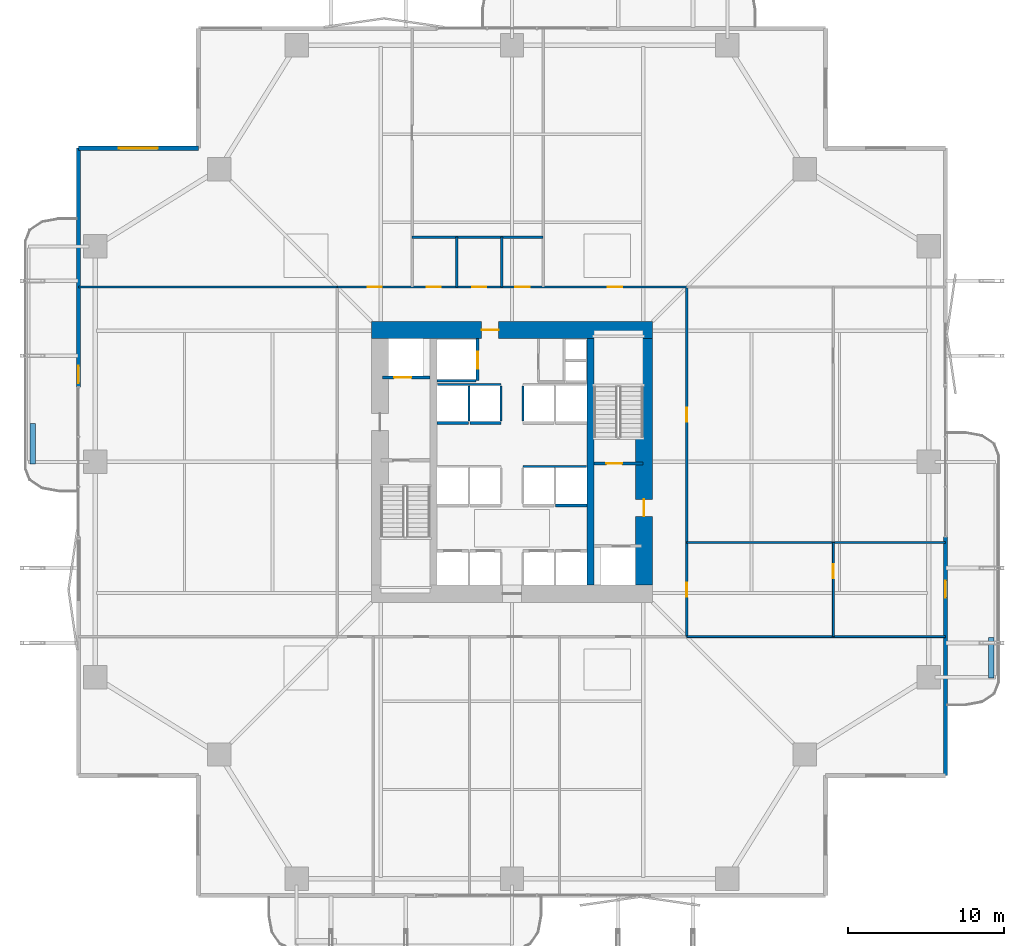
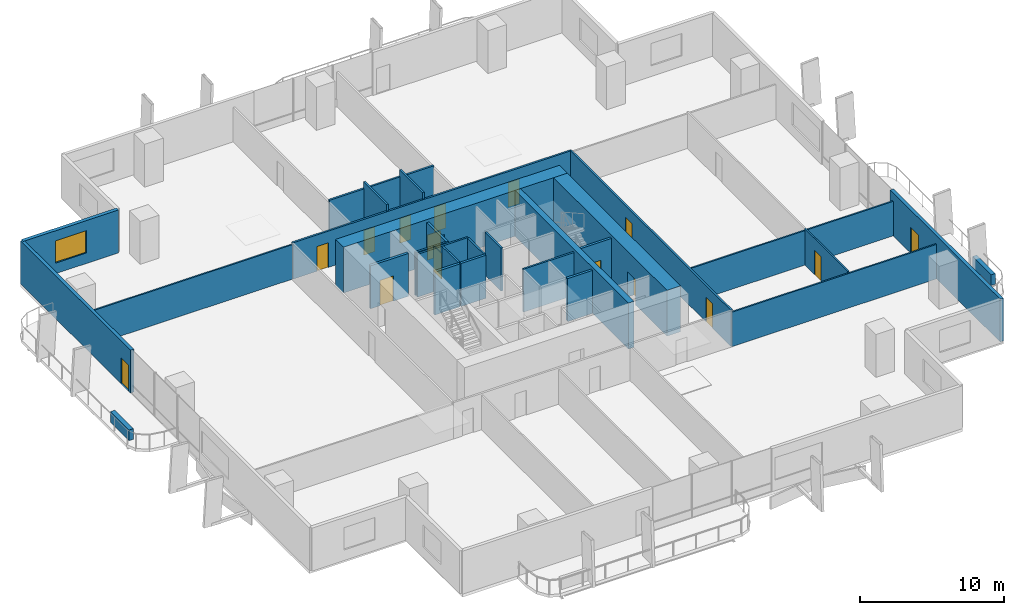
# One storey, part 18 of 23: 29 walls, 15 doors, 1 window, 16 openings.
"""IFC4 building model written with IfcOpenShell, lengths in metres."""

from ifc_helpers import new_model, si_unit, direction, frame, frame_2d, origin, place, context, subcontext, project, spatial, rectangle, extrude, material, layer, layer_set, type_object, element, fill, save


model = new_model("IFC4")

# Units and contexts
model_context = context("Model", 3, precision=1e-05, world=origin(), true_north=direction((0.0, 1.0)))
body_context = subcontext(model_context, "Body", "Model", "MODEL_VIEW")
ifc_project = project(units=[si_unit("LENGTHUNIT", "METRE"), si_unit("AREAUNIT", "SQUARE_METRE"), si_unit("VOLUMEUNIT", "CUBIC_METRE"), si_unit("PLANEANGLEUNIT", "RADIAN"), si_unit("MASSUNIT", "GRAM", prefix="KILO")], contexts=[model_context])

# Site, building, storey
site_placement = place(None, origin())
site = spatial("IfcSite", under=ifc_project, at=site_placement, CompositionType="ELEMENT")
building_placement = place(site_placement, origin())
building = spatial("IfcBuilding", under=site, at=building_placement, Name="Belovzor Exchange Tower", CompositionType="ELEMENT")
storey_placement = place(building_placement, frame((0.0, 0.0, 41.699951171875)))
storey = spatial("IfcBuildingStorey", under=building, at=storey_placement, Name="L09", CompositionType="ELEMENT", Elevation=41.699951171875)

# Walls
ifc_material_1 = material(Name="Acoustic Plasterboard on Galvanised Studs", Category="gypsum")
ifc_layer_1 = layer(ifc_material_1, 0.1201171875)
ifc_layer_set_1 = layer_set([ifc_layer_1], Name="Acoustic Plasterboard on Galvanised Studs")
wall_type_1 = type_object("IfcWallType", Name="Acoustic Double-Stud Partition Wall 120", PredefinedType="PARTITIONING", material=ifc_layer_set_1)
for number, where, z_axis, x_axis, name in (
    (1, (40.0, 17.60009765625, 0.0), (0.0, 0.0, 1.0), (1.0, 0.0, 0.0), "W-P120 Partition Wall W-L09-END-SE"),
    (2, (1.030029296875, 40.0, 0.0), (0.0, 0.0, 1.0), (1.0, 0.0, 0.0), "W-P120 Partition Wall W-L09-END-NW"),
):
    element("IfcWall", number, at=place(storey_placement, frame(where, z_axis=z_axis, x_axis=x_axis)), inside=storey, type_object=wall_type_1, Name=name, PredefinedType="PARTITIONING", context=body_context, shape_type="SweptSolid", body=[
        extrude(rectangle(XDim=16.570068359375, YDim=0.1201171875, at=frame_2d((8.28515625, 0.0))), origin(), (0.0, 0.0, 1.0), 2.93505859375),
    ])

# Wall, opening, door
wall_1_placement = place(storey_placement, frame((49.387939453125, 17.60009765625, 0.0), z_axis=(0.0, 0.0, 1.0), x_axis=(0.0, 1.0, 0.0)))
wall_1 = element("IfcWall", 3, at=wall_1_placement, inside=storey, type_object=wall_type_1, Name="W-P120 Partition Wall W-L09-EHDIV-0", PredefinedType="PARTITIONING", context=body_context, shape_type="SweptSolid", body=[
    extrude(rectangle(XDim=6.037841796875, YDim=0.1201171875, at=frame_2d((3.01904296875, 0.0))), origin(), (0.0, 0.0, 1.0), 3.0849609375),
])
opening_1_placement = place(wall_1_placement, frame((3.7529296875, 0.0, 0.0)))
opening_1 = element("IfcOpeningElement", 4, at=opening_1_placement, cuts=wall_1, Name="Opening D-INT-090", PredefinedType="OPENING", context=body_context, shape_type="SweptSolid", body=[
    extrude(rectangle(XDim=0.89990234375, YDim=2.10009765625, at=frame_2d((0.449951171875, 1.050048828125))), frame((0.0, 0.070068359375, 0.0), z_axis=(0.0, -1.0, 0.0), x_axis=(1.0, 0.0, 0.0)), (0.0, 0.0, 1.0), 0.14013671875),
])
ifc_material_2 = material(Name="Veneered Hardwood Acoustic Leaf", Category="wood")
door_type_1 = type_object("IfcDoorType", Name="Trading Suite Acoustic Single Door 900x2100", OperationType="NOTDEFINED", PredefinedType="DOOR", material=ifc_material_2)
door_1_placement = place(opening_1_placement, origin())
door_1 = element("IfcDoor", 5, at=door_1_placement, inside=storey, type_object=door_type_1, Name="D-INT-090 Trading Suite Acoustic Single Door 900x2100", OperationType="SINGLE_SWING_RIGHT", OverallHeight=2.10009765625, OverallWidth=0.89990234375, PredefinedType="DOOR", context=body_context, shape_type="SweptSolid", body=[
    extrude(rectangle(XDim=0.89990234375, YDim=2.10009765625, at=frame_2d((0.449951171875, 1.050048828125))), frame((0.0, 0.02490234375, 0.0), z_axis=(0.0, -1.0, 0.0), x_axis=(1.0, 0.0, 0.0)), (0.0, 0.0, 1.0), 0.050048828125),
])
fill(opening_1, door_1)

# Walls
wall_2_placement = place(storey_placement, frame((40.0, 23.637939453125, 0.0), z_axis=(0.0, 0.0, 1.0), x_axis=(1.0, 0.0, 0.0)))
element("IfcWall", 6, at=wall_2_placement, inside=storey, type_object=wall_type_1, Name="W-P120 Partition Wall W-L09-EDIV-1", PredefinedType="PARTITIONING", context=body_context, shape_type="SweptSolid", body=[
    extrude(rectangle(XDim=16.570068359375, YDim=0.1201171875, at=frame_2d((8.28515625, 0.0))), origin(), (0.0, 0.0, 1.0), 2.93505859375),
])
ifc_material_3 = material(Name="Fire-Rated Gypsum Block and Mineral Wool", Category="gypsum")
ifc_layer_2 = layer(ifc_material_3, 0.14990234375)
ifc_layer_set_2 = layer_set([ifc_layer_2], Name="Fire-Rated Gypsum Block and Mineral Wool")
wall_type_2 = type_object("IfcWallType", Name="Fire-Rated Gypsum Block Corridor Wall 150", PredefinedType="PARTITIONING", material=ifc_layer_set_2)
wall_3_placement = place(storey_placement, frame((22.39990234375, 43.199951171875, 0.0), z_axis=(0.0, 0.0, 1.0), x_axis=(1.0, 0.0, 0.0)))
element("IfcWall", 7, at=wall_3_placement, inside=storey, type_object=wall_type_2, Name="W-P150 Partition Wall W-L09-WCN", PredefinedType="PARTITIONING", context=body_context, shape_type="SweptSolid", body=[
    extrude(rectangle(XDim=8.400146484375, YDim=0.14990234375, at=frame_2d((4.2001953125, 0.0))), origin(), (0.0, 0.0, 1.0), 3.0849609375),
])
for number, where, z_axis, x_axis, name in (
    (8, (25.25, 40.0, 0.0), (0.0, 0.0, 1.0), (0.0, 1.0, 0.0), "W-P150 Partition Wall W-L09-WCD1"),
    (9, (28.14990234375, 40.0, 0.0), (0.0, 0.0, 1.0), (0.0, 1.0, 0.0), "W-P150 Partition Wall W-L09-WCD2"),
):
    element("IfcWall", number, at=place(storey_placement, frame(where, z_axis=z_axis, x_axis=x_axis)), inside=storey, type_object=wall_type_2, Name=name, PredefinedType="PARTITIONING", context=body_context, shape_type="SweptSolid", body=[
        extrude(rectangle(XDim=3.199951171875, YDim=0.14990234375, at=frame_2d((1.60009765625, 0.0))), origin(), (0.0, 0.0, 1.0), 3.650146484375),
    ])

# Wall, openings, doors
wall_4_placement = place(storey_placement, frame((17.60009765625, 40.0, 0.0), z_axis=(0.0, 0.0, 1.0), x_axis=(1.0, 0.0, 0.0)))
wall_4 = element("IfcWall", 10, at=wall_4_placement, inside=storey, type_object=wall_type_2, Name="W-P150 Partition Wall W-L09-CN", PredefinedType="PARTITIONING", context=body_context, shape_type="SweptSolid", body=[
    extrude(rectangle(XDim=22.39990234375, YDim=0.14990234375, at=frame_2d((11.199951171875, 0.0))), origin(), (0.0, 0.0, 1.0), 3.0849609375),
])
opening_2_placement = place(wall_4_placement, frame((1.949951171875, 0.0, 0.0)))
opening_2 = element("IfcOpeningElement", 11, at=opening_2_placement, cuts=wall_4, Name="Opening D-INT-090", PredefinedType="OPENING", context=body_context, shape_type="SweptSolid", body=[
    extrude(rectangle(XDim=0.89990234375, YDim=2.10009765625, at=frame_2d((0.449951171875, 1.050048828125))), frame((0.0, 0.0849609375, 0.0), z_axis=(0.0, -1.0, 0.0), x_axis=(1.0, 0.0, 0.0)), (0.0, 0.0, 1.0), 0.169921875),
])
opening_3_placement = place(wall_4_placement, frame((5.75, 0.0, 0.0)))
opening_3 = element("IfcOpeningElement", 12, at=opening_3_placement, cuts=wall_4, Name="Opening D-FD60-090", PredefinedType="OPENING", context=body_context, shape_type="SweptSolid", body=[
    extrude(rectangle(XDim=0.89990234375, YDim=2.10009765625, at=frame_2d((0.449951171875, 1.050048828125))), frame((0.0, 0.0849609375, 0.0), z_axis=(0.0, -1.0, 0.0), x_axis=(1.0, 0.0, 0.0)), (0.0, 0.0, 1.0), 0.169921875),
])
opening_4_placement = place(wall_4_placement, frame((8.64990234375, 0.0, 0.0)))
opening_4 = element("IfcOpeningElement", 13, at=opening_4_placement, cuts=wall_4, Name="Opening D-FD60-090", PredefinedType="OPENING", context=body_context, shape_type="SweptSolid", body=[
    extrude(rectangle(XDim=0.89990234375, YDim=2.10009765625, at=frame_2d((0.449951171875, 1.050048828125))), frame((0.0, 0.0849609375, 0.0), z_axis=(0.0, -1.0, 0.0), x_axis=(1.0, 0.0, 0.0)), (0.0, 0.0, 1.0), 0.169921875),
])
opening_5_placement = place(wall_4_placement, frame((11.39990234375, 0.0, 0.0)))
opening_5 = element("IfcOpeningElement", 14, at=opening_5_placement, cuts=wall_4, Name="Opening D-FD60-095", PredefinedType="OPENING", context=body_context, shape_type="SweptSolid", body=[
    extrude(rectangle(XDim=0.949951171875, YDim=2.10009765625, at=frame_2d((0.47509765625, 1.050048828125))), frame((0.0, 0.0849609375, 0.0), z_axis=(0.0, -1.0, 0.0), x_axis=(1.0, 0.0, 0.0)), (0.0, 0.0, 1.0), 0.169921875),
])
opening_6_placement = place(wall_4_placement, frame((17.35009765625, 0.0, 0.0)))
opening_6 = element("IfcOpeningElement", 15, at=opening_6_placement, cuts=wall_4, Name="Opening D-INT-090", PredefinedType="OPENING", context=body_context, shape_type="SweptSolid", body=[
    extrude(rectangle(XDim=0.89990234375, YDim=2.10009765625, at=frame_2d((0.449951171875, 1.050048828125))), frame((0.0, 0.0849609375, 0.0), z_axis=(0.0, -1.0, 0.0), x_axis=(1.0, 0.0, 0.0)), (0.0, 0.0, 1.0), 0.169921875),
])
ifc_material_4 = material(Name="Moisture-Resistant Timber Fire Leaf", Category="wood")
door_type_2 = type_object("IfcDoorType", Name="Accessible Restroom Wide Fire Door 950x2100", OperationType="NOTDEFINED", PredefinedType="DOOR", material=ifc_material_4)
door_2_placement = place(opening_5_placement, origin())
door_2 = element("IfcDoor", 16, at=door_2_placement, inside=storey, type_object=door_type_2, Name="D-FD60-095 Accessible Restroom Wide Fire Door 950x2100", OperationType="SINGLE_SWING_LEFT", OverallHeight=2.10009765625, OverallWidth=0.949951171875, PredefinedType="DOOR", context=body_context, shape_type="SweptSolid", body=[
    extrude(rectangle(XDim=0.949951171875, YDim=2.10009765625, at=frame_2d((0.47509765625, 1.050048828125))), frame((0.0, 0.02490234375, 0.0), z_axis=(0.0, -1.0, 0.0), x_axis=(1.0, 0.0, 0.0)), (0.0, 0.0, 1.0), 0.050048828125),
])
fill(opening_5, door_2)
ifc_material_5 = material(Name="Acoustic Timber Fire Leaf", Category="wood")
door_type_3 = type_object("IfcDoorType", Name="Core Service & Restroom Fire Door 900x2100", OperationType="NOTDEFINED", PredefinedType="DOOR", material=ifc_material_5)
door_3_placement = place(opening_3_placement, origin())
door_3 = element("IfcDoor", 17, at=door_3_placement, inside=storey, type_object=door_type_3, Name="D-FD60-090 Core Service & Restroom Fire Door 900x2100", OperationType="SINGLE_SWING_LEFT", OverallHeight=2.10009765625, OverallWidth=0.89990234375, PredefinedType="DOOR", context=body_context, shape_type="SweptSolid", body=[
    extrude(rectangle(XDim=0.89990234375, YDim=2.10009765625, at=frame_2d((0.449951171875, 1.050048828125))), frame((0.0, 0.02490234375, 0.0), z_axis=(0.0, -1.0, 0.0), x_axis=(1.0, 0.0, 0.0)), (0.0, 0.0, 1.0), 0.050048828125),
])
fill(opening_3, door_3)
door_4_placement = place(opening_4_placement, origin())
door_4 = element("IfcDoor", 18, at=door_4_placement, inside=storey, type_object=door_type_3, Name="D-FD60-090 Core Service & Restroom Fire Door 900x2100", OperationType="SINGLE_SWING_RIGHT", OverallHeight=2.10009765625, OverallWidth=0.89990234375, PredefinedType="DOOR", context=body_context, shape_type="SweptSolid", body=[
    extrude(rectangle(XDim=0.89990234375, YDim=2.10009765625, at=frame_2d((0.449951171875, 1.050048828125))), frame((0.0, 0.02490234375, 0.0), z_axis=(0.0, -1.0, 0.0), x_axis=(1.0, 0.0, 0.0)), (0.0, 0.0, 1.0), 0.050048828125),
])
fill(opening_4, door_4)
door_5_placement = place(opening_2_placement, origin())
door_5 = element("IfcDoor", 19, at=door_5_placement, inside=storey, type_object=door_type_1, Name="D-INT-090 Trading Suite Acoustic Single Door 900x2100", OperationType="SINGLE_SWING_LEFT", OverallHeight=2.10009765625, OverallWidth=0.89990234375, PredefinedType="DOOR", context=body_context, shape_type="SweptSolid", body=[
    extrude(rectangle(XDim=0.89990234375, YDim=2.10009765625, at=frame_2d((0.449951171875, 1.050048828125))), frame((0.0, 0.02490234375, 0.0), z_axis=(0.0, -1.0, 0.0), x_axis=(1.0, 0.0, 0.0)), (0.0, 0.0, 1.0), 0.050048828125),
])
fill(opening_2, door_5)
door_6_placement = place(opening_6_placement, origin())
door_6 = element("IfcDoor", 20, at=door_6_placement, inside=storey, type_object=door_type_1, Name="D-INT-090 Trading Suite Acoustic Single Door 900x2100", OperationType="SINGLE_SWING_RIGHT", OverallHeight=2.10009765625, OverallWidth=0.89990234375, PredefinedType="DOOR", context=body_context, shape_type="SweptSolid", body=[
    extrude(rectangle(XDim=0.89990234375, YDim=2.10009765625, at=frame_2d((0.449951171875, 1.050048828125))), frame((0.0, 0.02490234375, 0.0), z_axis=(0.0, -1.0, 0.0), x_axis=(1.0, 0.0, 0.0)), (0.0, 0.0, 1.0), 0.050048828125),
])
fill(opening_6, door_6)

wall_5_placement = place(storey_placement, frame((40.0, 17.60009765625, 0.0), z_axis=(0.0, 0.0, 1.0), x_axis=(0.0, 1.0, 0.0)))
wall_5 = element("IfcWall", 21, at=wall_5_placement, inside=storey, type_object=wall_type_2, Name="W-P150 Partition Wall W-L09-CE", PredefinedType="PARTITIONING", context=body_context, shape_type="SweptSolid", body=[
    extrude(rectangle(XDim=22.39990234375, YDim=0.14990234375, at=frame_2d((11.199951171875, 0.0))), origin(), (0.0, 0.0, 1.0), 3.0849609375),
])
opening_7_placement = place(wall_5_placement, frame((2.569091796875, 0.0, 0.0)))
opening_7 = element("IfcOpeningElement", 22, at=opening_7_placement, cuts=wall_5, Name="Opening D-INT-090", PredefinedType="OPENING", context=body_context, shape_type="SweptSolid", body=[
    extrude(rectangle(XDim=0.89990234375, YDim=2.10009765625, at=frame_2d((0.449951171875, 1.050048828125))), frame((0.0, 0.0849609375, 0.0), z_axis=(0.0, -1.0, 0.0), x_axis=(1.0, 0.0, 0.0)), (0.0, 0.0, 1.0), 0.169921875),
])
opening_8_placement = place(wall_5_placement, frame((13.76904296875, 0.0, 0.0)))
opening_8 = element("IfcOpeningElement", 23, at=opening_8_placement, cuts=wall_5, Name="Opening D-INT-090", PredefinedType="OPENING", context=body_context, shape_type="SweptSolid", body=[
    extrude(rectangle(XDim=0.89990234375, YDim=2.10009765625, at=frame_2d((0.449951171875, 1.050048828125))), frame((0.0, 0.0849609375, 0.0), z_axis=(0.0, -1.0, 0.0), x_axis=(1.0, 0.0, 0.0)), (0.0, 0.0, 1.0), 0.169921875),
])
door_7_placement = place(opening_7_placement, origin())
door_7 = element("IfcDoor", 24, at=door_7_placement, inside=storey, type_object=door_type_1, Name="D-INT-090 Trading Suite Acoustic Single Door 900x2100", OperationType="SINGLE_SWING_LEFT", OverallHeight=2.10009765625, OverallWidth=0.89990234375, PredefinedType="DOOR", context=body_context, shape_type="SweptSolid", body=[
    extrude(rectangle(XDim=0.89990234375, YDim=2.10009765625, at=frame_2d((0.449951171875, 1.050048828125))), frame((0.0, 0.02490234375, 0.0), z_axis=(0.0, -1.0, 0.0), x_axis=(1.0, 0.0, 0.0)), (0.0, 0.0, 1.0), 0.050048828125),
])
fill(opening_7, door_7)
door_8_placement = place(opening_8_placement, origin())
door_8 = element("IfcDoor", 25, at=door_8_placement, inside=storey, type_object=door_type_1, Name="D-INT-090 Trading Suite Acoustic Single Door 900x2100", OperationType="SINGLE_SWING_RIGHT", OverallHeight=2.10009765625, OverallWidth=0.89990234375, PredefinedType="DOOR", context=body_context, shape_type="SweptSolid", body=[
    extrude(rectangle(XDim=0.89990234375, YDim=2.10009765625, at=frame_2d((0.449951171875, 1.050048828125))), frame((0.0, 0.02490234375, 0.0), z_axis=(0.0, -1.0, 0.0), x_axis=(1.0, 0.0, 0.0)), (0.0, 0.0, 1.0), 0.050048828125),
])
fill(opening_8, door_8)

# Wall, opening, window
ifc_material_6 = material(Name="Precast concrete C40/50", Category="concrete")
ifc_layer_3 = layer(ifc_material_6, 0.280029296875)
ifc_layer_set_3 = layer_set([ifc_layer_3], Name="Precast concrete C40/50")
wall_type_3 = type_object("IfcWallType", Name="Precast Concrete Notched Corner Frame Wall 280", PredefinedType="SOLIDWALL", material=ifc_layer_set_3)
wall_6_placement = place(storey_placement, frame((1.030029296875, 48.89990234375, 0.0), z_axis=(0.0, 0.0, 1.0), x_axis=(1.0, 0.0, 0.0)))
wall_6 = element("IfcWall", 26, at=wall_6_placement, inside=storey, type_object=wall_type_3, Name="W-CRN280 Precast Concrete Notched Corner Frame Wall 280 L09", PredefinedType="SOLIDWALL", context=body_context, shape_type="SweptSolid", body=[
    extrude(rectangle(XDim=7.669921875, YDim=0.280029296875, at=frame_2d((3.8349609375, 0.0))), origin(), (0.0, 0.0, 1.0), 3.650146484375),
])
opening_9_placement = place(wall_6_placement, frame((2.5849609375, 0.0, 0.89990234375)))
opening_9 = element("IfcOpeningElement", 27, at=opening_9_placement, cuts=wall_6, Name="Opening WN-CRN250", PredefinedType="OPENING", context=body_context, shape_type="SweptSolid", body=[
    extrude(rectangle(XDim=2.5, YDim=1.89990234375, at=frame_2d((1.25, 0.949951171875))), frame((0.0, 0.14990234375, 0.0), z_axis=(0.0, -1.0, 0.0), x_axis=(1.0, 0.0, 0.0)), (0.0, 0.0, 1.0), 0.300048828125),
])
ifc_material_7 = material(Name="Thermally Broken Aluminium and Triple Glazing", Category="aluminium")
window_type = type_object("IfcWindowType", Name="Streamline Moderne Corner Wrap Ribbon Window 2500x1900", PartitioningType="SINGLE_PANEL", PredefinedType="WINDOW", material=ifc_material_7)
window_placement = place(opening_9_placement, origin())
window = element("IfcWindow", 28, at=window_placement, inside=storey, type_object=window_type, Name="WN-CRN250 Streamline Moderne Corner Wrap Ribbon Window 2500x1900", OverallHeight=1.89990234375, OverallWidth=2.5, PartitioningType="SINGLE_PANEL", PredefinedType="WINDOW", context=body_context, shape_type="SweptSolid", body=[
    extrude(rectangle(XDim=2.5, YDim=1.89990234375, at=frame_2d((1.25, 0.949951171875))), frame((0.0, 0.030029296875, 0.0), z_axis=(0.0, -1.0, 0.0), x_axis=(1.0, 0.0, 0.0)), (0.0, 0.0, 1.0), 0.06005859375),
])
fill(opening_9, window)

# Wall, opening, door
ifc_material_8 = material(Name="Precast concrete C40/50", Category="concrete")
ifc_layer_4 = layer(ifc_material_8, 0.260009765625)
ifc_layer_set_4 = layer_set([ifc_layer_4], Name="Precast concrete C40/50")
wall_type_4 = type_object("IfcWallType", Name="Precast Concrete Perimeter Loggia Frame Wall 260", PredefinedType="SOLIDWALL", material=ifc_layer_set_4)
wall_7_placement = place(storey_placement, frame((1.030029296875, 33.60009765625, 0.0), z_axis=(0.0, 0.0, 1.0), x_axis=(0.0, 1.0, 0.0)))
wall_7 = element("IfcWall", 29, at=wall_7_placement, inside=storey, type_object=wall_type_4, Name="W-EXT260 Precast Concrete Perimeter Loggia Frame Wall 260 L09", PredefinedType="SOLIDWALL", context=body_context, shape_type="SweptSolid", body=[
    extrude(rectangle(XDim=15.2998046875, YDim=0.260009765625, at=frame_2d((7.64990234375, 0.0))), origin(), (0.0, 0.0, 1.0), 3.650146484375),
])
opening_10_placement = place(wall_7_placement, frame((0.25, 0.0, 0.0)))
opening_10 = element("IfcOpeningElement", 30, at=opening_10_placement, cuts=wall_7, Name="Opening D-BAL110", PredefinedType="OPENING", context=body_context, shape_type="SweptSolid", body=[
    extrude(rectangle(XDim=1.10009765625, YDim=2.199951171875, at=frame_2d((0.550048828125, 1.10009765625))), frame((0.0, 0.139892578125, 0.0), z_axis=(0.0, -1.0, 0.0), x_axis=(1.0, 0.0, 0.0)), (0.0, 0.0, 1.0), 0.280029296875),
])
ifc_material_9 = material(Name="Thermally Broken Anodised Aluminium and Laminated Glass", Category="aluminium")
door_type_4 = type_object("IfcDoorType", Name="Planted Loggia Terrace Glazed Door 1100x2200", OperationType="SINGLE_SWING_LEFT", PredefinedType="DOOR", material=ifc_material_9)
door_9_placement = place(opening_10_placement, origin())
door_9 = element("IfcDoor", 31, at=door_9_placement, inside=storey, type_object=door_type_4, Name="D-BAL110 Balcony Terrace Door L09 W", OperationType="SINGLE_SWING_RIGHT", OverallHeight=2.199951171875, OverallWidth=1.10009765625, PredefinedType="DOOR", context=body_context, shape_type="SweptSolid", body=[
    extrude(rectangle(XDim=1.10009765625, YDim=2.199951171875, at=frame_2d((0.550048828125, 1.10009765625))), frame((0.0, 0.02490234375, 0.0), z_axis=(0.0, -1.0, 0.0), x_axis=(1.0, 0.0, 0.0)), (0.0, 0.0, 1.0), 0.050048828125),
])
fill(opening_10, door_9)

wall_8_placement = place(storey_placement, frame((56.570068359375, 24.0, 0.0), z_axis=(0.0, 0.0, 1.0), x_axis=(0.0, -1.0, 0.0)))
wall_8 = element("IfcWall", 32, at=wall_8_placement, inside=storey, type_object=wall_type_4, Name="W-EXT260 Precast Concrete Perimeter Loggia Frame Wall 260 L09", PredefinedType="SOLIDWALL", context=body_context, shape_type="SweptSolid", body=[
    extrude(rectangle(XDim=15.300048828125, YDim=0.260009765625, at=frame_2d((7.64990234375, 0.0))), origin(), (0.0, 0.0, 1.0), 3.650146484375),
])
opening_11_placement = place(wall_8_placement, frame((2.801025390625, 0.0, 0.0)))
opening_11 = element("IfcOpeningElement", 33, at=opening_11_placement, cuts=wall_8, Name="Opening D-BAL110", PredefinedType="OPENING", context=body_context, shape_type="SweptSolid", body=[
    extrude(rectangle(XDim=1.10009765625, YDim=2.199951171875, at=frame_2d((0.550048828125, 1.10009765625))), frame((0.0, 0.139892578125, 0.0), z_axis=(0.0, -1.0, 0.0), x_axis=(1.0, 0.0, 0.0)), (0.0, 0.0, 1.0), 0.280029296875),
])
door_10_placement = place(opening_11_placement, origin())
door_10 = element("IfcDoor", 34, at=door_10_placement, inside=storey, type_object=door_type_4, Name="D-BAL110 Balcony Terrace Door L09 E", OperationType="SINGLE_SWING_LEFT", OverallHeight=2.199951171875, OverallWidth=1.10009765625, PredefinedType="DOOR", context=body_context, shape_type="SweptSolid", body=[
    extrude(rectangle(XDim=1.10009765625, YDim=2.199951171875, at=frame_2d((0.550048828125, 1.10009765625))), frame((0.0, 0.02490234375, 0.0), z_axis=(0.0, -1.0, 0.0), x_axis=(1.0, 0.0, 0.0)), (0.0, 0.0, 1.0), 0.050048828125),
])
fill(opening_11, door_10)

# Walls
ifc_material_10 = material(Name="Precast concrete C40/50", Category="concrete")
ifc_layer_5 = layer(ifc_material_10, 0.35009765625)
ifc_layer_set_5 = layer_set([ifc_layer_5], Name="Precast concrete C40/50")
wall_type_5 = type_object("IfcWallType", Name="Precast Concrete Structural Tree Planter Trough 350", PredefinedType="PARAPET", material=ifc_layer_set_5)
for number, where, z_axis, x_axis, name in (
    (35, (59.5, 14.949951171875, 0.0), (0.0, 0.0, 1.0), (0.0, 1.0, 0.0), "PT-350 Precast Concrete Structural Tree Planter Trough 350 L09"),
    (36, (-1.89990234375, 28.64990234375, 0.0), (0.0, 0.0, 1.0), (0.0, 1.0, 0.0), "PT-350 Precast Concrete Structural Tree Planter Trough 350 L09"),
):
    element("IfcWall", number, at=place(storey_placement, frame(where, z_axis=z_axis, x_axis=x_axis)), inside=storey, type_object=wall_type_5, Name=name, PredefinedType="PARAPET", context=body_context, shape_type="SweptSolid", body=[
        extrude(rectangle(XDim=2.60009765625, YDim=0.35009765625, at=frame_2d((1.300048828125, 0.0))), origin(), (0.0, 0.0, 1.0), 0.900146484375),
    ])
ifc_material_11 = material(Name="Concrete C50/60", Category="concrete")
ifc_layer_6 = layer(ifc_material_11, 0.449951171875)
ifc_layer_set_6 = layer_set([ifc_layer_6], Name="Concrete C50/60")
wall_type_6 = type_object("IfcWallType", Name="Reinforced Concrete Core Internal Web Wall 450", PredefinedType="SHEAR", material=ifc_layer_set_6)
wall_9_placement = place(storey_placement, frame((33.824951171875, 20.89990234375, 0.0), z_axis=(0.0, 0.0, 1.0), x_axis=(0.0, 1.0, 0.0)))
element("IfcWall", 37, at=wall_9_placement, inside=storey, type_object=wall_type_6, Name="CW-W045 Core Internal Web Wall L09 ER", PredefinedType="SHEAR", context=body_context, shape_type="SweptSolid", body=[
    extrude(rectangle(XDim=15.800048828125, YDim=0.449951171875, at=frame_2d((7.89990234375, 0.0))), origin(), (0.0, 0.0, 1.0), 3.900146484375),
])
ifc_material_12 = material(Name="Concrete C50/60", Category="concrete")
ifc_layer_7 = layer(ifc_material_12, 0.14990234375)
ifc_layer_set_7 = layer_set([ifc_layer_7], Name="Concrete C50/60")
wall_type_7 = type_object("IfcWallType", Name="Reinforced Concrete Core Riser Shear Wall 150", PredefinedType="SHEAR", material=ifc_layer_set_7)
wall_10_placement = place(storey_placement, frame((24.0, 34.0, 0.0), z_axis=(0.0, 0.0, 1.0), x_axis=(1.0, 0.0, 0.0)))
element("IfcWall", 38, at=wall_10_placement, inside=storey, type_object=wall_type_7, Name="W-C150S Core Shaft Wall W-SH-L09-SL-01S", PredefinedType="SHEAR", context=body_context, shape_type="SweptSolid", body=[
    extrude(rectangle(XDim=2.47998046875, YDim=0.14990234375, at=frame_2d((1.239990234375, 0.0))), origin(), (0.0, 0.0, 1.0), 3.650146484375),
])
for number, where, z_axis, x_axis, name in (
    (39, (29.5, 28.5, 0.0), (0.0, 0.0, 1.0), (1.0, 0.0, 0.0), "W-C150S Core Shaft Wall W-SHB-L09-PLM-NE"),
    (40, (24.02001953125, 33.760009765625, 0.0), (0.0, 0.0, 1.0), (1.0, 0.0, 0.0), "W-C150S Core Shaft Wall W-SHB-L09-PLH-NW"),
):
    element("IfcWall", number, at=place(storey_placement, frame(where, z_axis=z_axis, x_axis=x_axis)), inside=storey, type_object=wall_type_7, Name=name, PredefinedType="SHEAR", context=body_context, shape_type="SweptSolid", body=[
        extrude(rectangle(XDim=4.080078125, YDim=0.14990234375, at=frame_2d((2.0400390625, 0.0))), origin(), (0.0, 0.0, 1.0), 3.650146484375),
    ])
for number, where, z_axis, x_axis, name in (
    (41, (26.050048828125, 31.419921875, 0.0), (0.0, 0.0, 1.0), (0.0, 1.0, 0.0), "W-C150S Core Shaft Wall W-SHD-L09-PLH-1"),
    (42, (28.10009765625, 31.419921875, 0.0), (0.0, 0.0, 1.0), (0.0, 1.0, 0.0), "W-C150S Core Shaft Wall W-SHD-L09-PLH-2"),
    (43, (29.5, 31.419921875, 0.0), (0.0, 0.0, 1.0), (0.0, 1.0, 0.0), "W-C150S Core Shaft Wall W-SHD-L09-PLH-3"),
):
    element("IfcWall", number, at=place(storey_placement, frame(where, z_axis=z_axis, x_axis=x_axis)), inside=storey, type_object=wall_type_7, Name=name, PredefinedType="SHEAR", context=body_context, shape_type="SweptSolid", body=[
        extrude(rectangle(XDim=2.239990234375, YDim=0.14990234375, at=frame_2d((1.1201171875, 0.0))), origin(), (0.0, 0.0, 1.0), 3.650146484375),
    ])

# Wall, opening, door
ifc_material_13 = material(Name="Concrete C50/60", Category="concrete")
ifc_layer_8 = layer(ifc_material_13, 0.199951171875)
ifc_layer_set_8 = layer_set([ifc_layer_8], Name="Concrete C50/60")
wall_type_8 = type_object("IfcWallType", Name="Reinforced Concrete Core Shaft Shear Wall 200", PredefinedType="SHEAR", material=ifc_layer_set_8)
wall_11_placement = place(storey_placement, frame((34.050048828125, 28.699951171875, 0.0), z_axis=(0.0, 0.0, 1.0), x_axis=(1.0, 0.0, 0.0)))
wall_11 = element("IfcWall", 44, at=wall_11_placement, inside=storey, type_object=wall_type_8, Name="W-C200S Core Shaft Wall W-CORE-L09-FFLE2", PredefinedType="SHEAR", context=body_context, shape_type="SweptSolid", body=[
    extrude(rectangle(XDim=3.14990234375, YDim=0.199951171875, at=frame_2d((1.574951171875, 0.0))), origin(), (0.0, 0.0, 1.0), 3.650146484375),
])
opening_12_placement = place(wall_11_placement, frame((0.800048828125, 0.0, 0.0)))
opening_12 = element("IfcOpeningElement", 45, at=opening_12_placement, cuts=wall_11, Name="Opening D-FD90-100", PredefinedType="OPENING", context=body_context, shape_type="SweptSolid", body=[
    extrude(rectangle(XDim=1.0, YDim=2.10009765625, at=frame_2d((0.5, 1.050048828125))), frame((0.0, 0.10986328125, 0.0), z_axis=(0.0, -1.0, 0.0), x_axis=(1.0, 0.0, 0.0)), (0.0, 0.0, 1.0), 0.219970703125),
])
ifc_material_14 = material(Name="Fire-Rated Galvanised Steel Leaf", Category="steel")
door_type_5 = type_object("IfcDoorType", Name="Protected Stairwell Single Fire Door 1000x2100", OperationType="NOTDEFINED", PredefinedType="DOOR", material=ifc_material_14)
door_11_placement = place(opening_12_placement, origin())
door_11 = element("IfcDoor", 46, at=door_11_placement, inside=storey, type_object=door_type_5, Name="D-FD90-100 Protected Stairwell Single Fire Door 1000x2100", OperationType="SINGLE_SWING_LEFT", OverallHeight=2.10009765625, OverallWidth=1.0, PredefinedType="DOOR", context=body_context, shape_type="SweptSolid", body=[
    extrude(rectangle(XDim=1.0, YDim=2.10009765625, at=frame_2d((0.5, 1.050048828125))), frame((0.0, 0.02490234375, 0.0), z_axis=(0.0, -1.0, 0.0), x_axis=(1.0, 0.0, 0.0)), (0.0, 0.0, 1.0), 0.050048828125),
])
fill(opening_12, door_11)

wall_12_placement = place(storey_placement, frame((20.5, 34.199951171875, 0.0), z_axis=(0.0, 0.0, 1.0), x_axis=(1.0, 0.0, 0.0)))
wall_12 = element("IfcWall", 47, at=wall_12_placement, inside=storey, type_object=wall_type_8, Name="W-C200S Core Shaft Wall W-SH-L09-FFL-01", PredefinedType="SHEAR", context=body_context, shape_type="SweptSolid", body=[
    extrude(rectangle(XDim=3.050048828125, YDim=0.199951171875, at=frame_2d((1.52490234375, 0.0))), origin(), (0.0, 0.0, 1.0), 3.650146484375),
])
opening_13_placement = place(wall_12_placement, frame((0.75, 0.0, 0.0)))
opening_13 = element("IfcOpeningElement", 48, at=opening_13_placement, cuts=wall_12, Name="Opening LD-110", PredefinedType="OPENING", context=body_context, shape_type="SweptSolid", body=[
    extrude(rectangle(XDim=1.10009765625, YDim=2.14990234375, at=frame_2d((0.550048828125, 1.074951171875))), frame((0.0, 0.10986328125, 0.0), z_axis=(0.0, -1.0, 0.0), x_axis=(1.0, 0.0, 0.0)), (0.0, 0.0, 1.0), 0.219970703125),
])
ifc_material_15 = material(Name="Stainless Steel Grade 304", Category="steel")
door_type_6 = type_object("IfcDoorType", Name="Automated Stainless Steel Lift Landing Door 1100x2150", OperationType="SLIDING_TO_RIGHT", PredefinedType="DOOR", material=ifc_material_15)
door_12_placement = place(opening_13_placement, origin())
door_12 = element("IfcDoor", 49, at=door_12_placement, inside=storey, type_object=door_type_6, Name="LD-110 Automated Stainless Steel Lift Landing Door 1100x2150", OperationType="SLIDING_TO_RIGHT", OverallHeight=2.14990234375, OverallWidth=1.10009765625, PredefinedType="DOOR", context=body_context, shape_type="SweptSolid", body=[
    extrude(rectangle(XDim=1.10009765625, YDim=2.14990234375, at=frame_2d((0.550048828125, 1.074951171875))), frame((0.0, 0.02490234375, 0.0), z_axis=(0.0, -1.0, 0.0), x_axis=(1.0, 0.0, 0.0)), (0.0, 0.0, 1.0), 0.050048828125),
])
fill(opening_13, door_12)

wall_13_placement = place(storey_placement, frame((26.60009765625, 34.0, 0.0), z_axis=(0.0, 0.0, 1.0), x_axis=(0.0, 1.0, 0.0)))
wall_13 = element("IfcWall", 50, at=wall_13_placement, inside=storey, type_object=wall_type_8, Name="W-C200S Core Shaft Wall W-SH-L09-SL-01", PredefinedType="SHEAR", context=body_context, shape_type="SweptSolid", body=[
    extrude(rectangle(XDim=2.699951171875, YDim=0.199951171875, at=frame_2d((1.35009765625, 0.0))), origin(), (0.0, 0.0, 1.0), 3.650146484375),
])
opening_14_placement = place(wall_13_placement, frame((0.75, 0.0, 0.0)))
opening_14 = element("IfcOpeningElement", 51, at=opening_14_placement, cuts=wall_13, Name="Opening LD-110", PredefinedType="OPENING", context=body_context, shape_type="SweptSolid", body=[
    extrude(rectangle(XDim=1.10009765625, YDim=2.14990234375, at=frame_2d((0.550048828125, 1.074951171875))), frame((0.0, 0.10986328125, 0.0), z_axis=(0.0, -1.0, 0.0), x_axis=(1.0, 0.0, 0.0)), (0.0, 0.0, 1.0), 0.219970703125),
])
door_13_placement = place(opening_14_placement, origin())
door_13 = element("IfcDoor", 52, at=door_13_placement, inside=storey, type_object=door_type_6, Name="LD-110 Automated Stainless Steel Lift Landing Door 1100x2150", OperationType="SLIDING_TO_RIGHT", OverallHeight=2.14990234375, OverallWidth=1.10009765625, PredefinedType="DOOR", context=body_context, shape_type="SweptSolid", body=[
    extrude(rectangle(XDim=1.10009765625, YDim=2.14990234375, at=frame_2d((0.550048828125, 1.074951171875))), frame((0.0, 0.02490234375, 0.0), z_axis=(0.0, -1.0, 0.0), x_axis=(1.0, 0.0, 0.0)), (0.0, 0.0, 1.0), 0.050048828125),
])
fill(opening_14, door_13)

# Walls
for number, where, z_axis, x_axis, name in (
    (53, (31.60009765625, 26.0, 0.0), (0.0, 0.0, 1.0), (1.0, 0.0, 0.0), "W-C200S Core Shaft Wall W-SH-L09-PL-M4"),
    (54, (24.0, 31.300048828125, 0.0), (0.0, 0.0, 1.0), (1.0, 0.0, 0.0), "W-C200S Core Shaft Wall W-SH-L09-PL-H1"),
    (55, (26.10009765625, 31.300048828125, 0.0), (0.0, 0.0, 1.0), (1.0, 0.0, 0.0), "W-C200S Core Shaft Wall W-SH-L09-PL-H2"),
):
    element("IfcWall", number, at=place(storey_placement, frame(where, z_axis=z_axis, x_axis=x_axis)), inside=storey, type_object=wall_type_8, Name=name, PredefinedType="SHEAR", context=body_context, shape_type="SweptSolid", body=[
        extrude(rectangle(XDim=2.0, YDim=0.199951171875, at=frame_2d((1.0, 0.0))), origin(), (0.0, 0.0, 1.0), 3.650146484375),
    ])

# Wall, opening, door
ifc_material_16 = material(Name="Concrete C60/75", Category="concrete")
ifc_layer_9 = layer(ifc_material_16, 1.10009765625)
ifc_layer_set_9 = layer_set([ifc_layer_9], Name="Concrete C60/75")
wall_type_9 = type_object("IfcWallType", Name="Reinforced Concrete Core Shear Wall 1100", PredefinedType="SHEAR", material=ifc_layer_set_9)
wall_14_placement = place(storey_placement, frame((19.800048828125, 37.25, 0.0), z_axis=(0.0, 0.0, 1.0), x_axis=(1.0, 0.0, 0.0)))
wall_14 = element("IfcWall", 56, at=wall_14_placement, inside=storey, type_object=wall_type_9, Name="CW-S110 Core Shear Wall L09 N", PredefinedType="SHEAR", context=body_context, shape_type="SweptSolid", body=[
    extrude(rectangle(XDim=18.0, YDim=1.10009765625, at=frame_2d((9.0, 0.0))), origin(), (0.0, 0.0, 1.0), 3.900146484375),
])
opening_15_placement = place(wall_14_placement, frame((7.050048828125, 0.0, 0.0)))
opening_15 = element("IfcOpeningElement", 57, at=opening_15_placement, cuts=wall_14, Name="Opening D-FD90-110", PredefinedType="OPENING", context=body_context, shape_type="SweptSolid", body=[
    extrude(rectangle(XDim=1.10009765625, YDim=2.14990234375, at=frame_2d((0.550048828125, 1.074951171875))), frame((0.0, 0.56005859375, 0.0), z_axis=(0.0, -1.0, 0.0), x_axis=(1.0, 0.0, 0.0)), (0.0, 0.0, 1.0), 1.1201171875),
])
ifc_material_17 = material(Name="Fire-Rated Galvanised Steel Leaf", Category="steel")
door_type_7 = type_object("IfcDoorType", Name="Protected Escape Vestibule Fire Door 1100x2150", OperationType="NOTDEFINED", PredefinedType="DOOR", material=ifc_material_17)
door_14_placement = place(opening_15_placement, origin())
door_14 = element("IfcDoor", 58, at=door_14_placement, inside=storey, type_object=door_type_7, Name="D-FD90-110 Protected Escape Vestibule Fire Door 1100x2150", OperationType="SINGLE_SWING_RIGHT", OverallHeight=2.14990234375, OverallWidth=1.10009765625, PredefinedType="DOOR", context=body_context, shape_type="SweptSolid", body=[
    extrude(rectangle(XDim=1.10009765625, YDim=2.14990234375, at=frame_2d((0.550048828125, 1.074951171875))), frame((0.0, 0.02490234375, 0.0), z_axis=(0.0, -1.0, 0.0), x_axis=(1.0, 0.0, 0.0)), (0.0, 0.0, 1.0), 0.050048828125),
])
fill(opening_15, door_14)

wall_15_placement = place(storey_placement, frame((37.25, 20.89990234375, 0.0), z_axis=(0.0, 0.0, 1.0), x_axis=(0.0, 1.0, 0.0)))
wall_15 = element("IfcWall", 59, at=wall_15_placement, inside=storey, type_object=wall_type_9, Name="CW-S110 Core Shear Wall L09 E", PredefinedType="SHEAR", context=body_context, shape_type="SweptSolid", body=[
    extrude(rectangle(XDim=15.800048828125, YDim=1.10009765625, at=frame_2d((7.89990234375, 0.0))), origin(), (0.0, 0.0, 1.0), 3.900146484375),
])
opening_16_placement = place(wall_15_placement, frame((4.39990234375, 0.0, 0.0)))
opening_16 = element("IfcOpeningElement", 60, at=opening_16_placement, cuts=wall_15, Name="Opening D-FD90-110", PredefinedType="OPENING", context=body_context, shape_type="SweptSolid", body=[
    extrude(rectangle(XDim=1.10009765625, YDim=2.14990234375, at=frame_2d((0.550048828125, 1.074951171875))), frame((0.0, 0.56005859375, 0.0), z_axis=(0.0, -1.0, 0.0), x_axis=(1.0, 0.0, 0.0)), (0.0, 0.0, 1.0), 1.1201171875),
])
door_15_placement = place(opening_16_placement, origin())
door_15 = element("IfcDoor", 61, at=door_15_placement, inside=storey, type_object=door_type_7, Name="D-FD90-110 Protected Escape Vestibule Fire Door 1100x2150", OperationType="SINGLE_SWING_RIGHT", OverallHeight=2.14990234375, OverallWidth=1.10009765625, PredefinedType="DOOR", context=body_context, shape_type="SweptSolid", body=[
    extrude(rectangle(XDim=1.10009765625, YDim=2.14990234375, at=frame_2d((0.550048828125, 1.074951171875))), frame((0.0, 0.02490234375, 0.0), z_axis=(0.0, -1.0, 0.0), x_axis=(1.0, 0.0, 0.0)), (0.0, 0.0, 1.0), 0.050048828125),
])
fill(opening_16, door_15)

save(model, "model.ifc")
